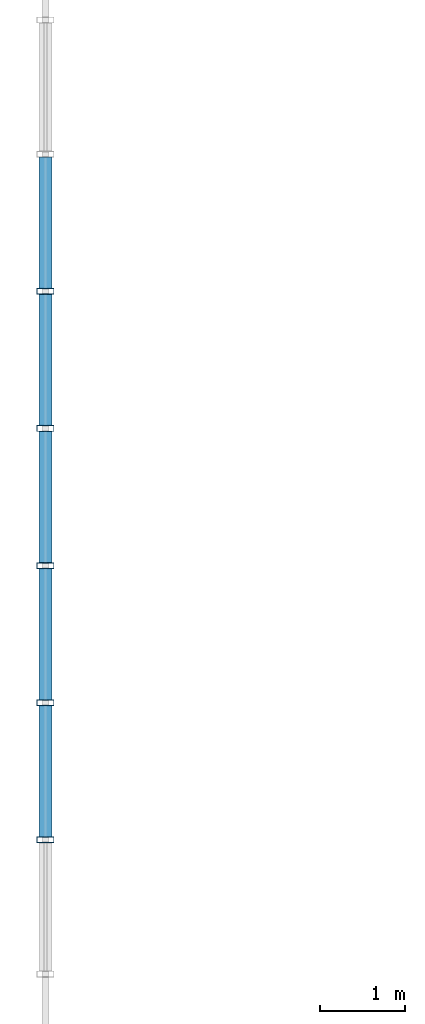
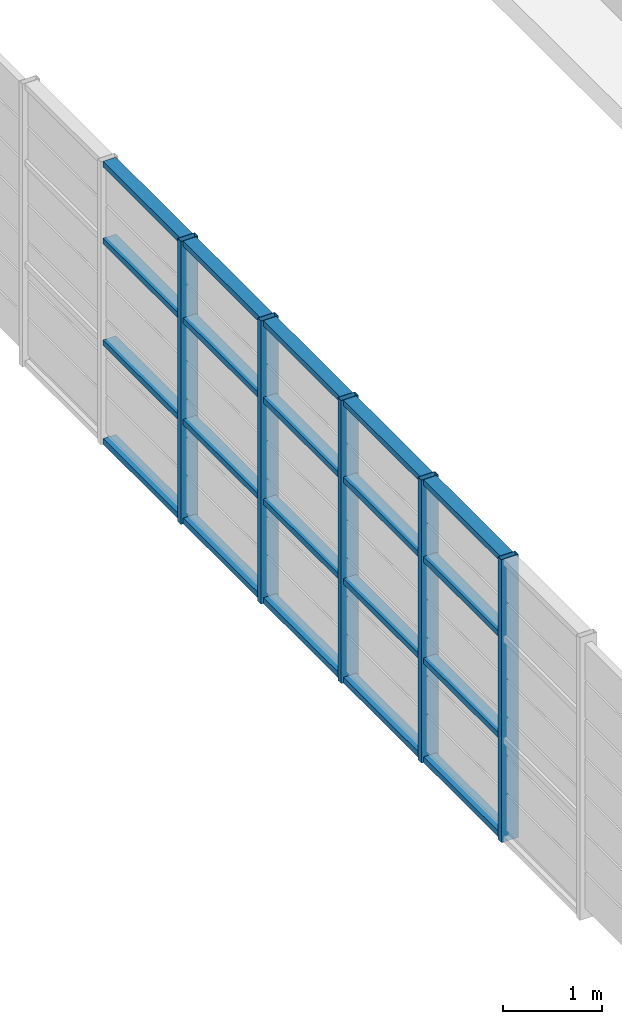
# One storey, part 7 of 21: 25 members, 1 element without a shape of its own.
"""IFC4 building model written with IfcOpenShell, lengths in metres."""

from ifc_helpers import new_model, si_unit, direction, frame, origin, origin_2d, place, context, subcontext, project, spatial, hollow_rectangle, extrude, source, transform, mapped, material, layer, layer_set, material_profile, profile_set, type_object, element, aggregate, save


model = new_model("IFC4")

# Units and contexts
model_context = context("Model", 3, precision=1e-05, world=origin(), true_north=direction((0.0, 1.0)))
body_context = subcontext(model_context, "Body", "Model", "MODEL_VIEW")
ifc_project = project(units=[si_unit("LENGTHUNIT", "METRE"), si_unit("AREAUNIT", "SQUARE_METRE"), si_unit("VOLUMEUNIT", "CUBIC_METRE"), si_unit("PLANEANGLEUNIT", "RADIAN"), si_unit("MASSUNIT", "GRAM", prefix="KILO")], contexts=[model_context])

# Site, building, storey
site_placement = place(None, origin())
site = spatial("IfcSite", under=ifc_project, at=site_placement, CompositionType="ELEMENT")
building_placement = place(site_placement, origin())
building = spatial("IfcBuilding", under=site, at=building_placement, Name="Saelheon Loggia Tower", CompositionType="ELEMENT")
storey_placement = place(building_placement, frame((0.0, 0.0, 267.39990234375)))
storey = spatial("IfcBuildingStorey", under=building, at=storey_placement, Name="CR5", CompositionType="ELEMENT", Elevation=267.39990234375)

# Curtain wall, members
ifc_material_1 = material(Name="Bronze-Anodised Aluminium and Fritted Ceramic Screen", Category="aluminium")
ifc_layer = layer(ifc_material_1, 0.219970703125)
ifc_layer_set = layer_set([ifc_layer], Name="Bronze-Anodised Aluminium and Fritted Ceramic Screen")
curtain_wall_type = type_object("IfcCurtainWallType", Name="CW_CrownScreen", PredefinedType="NOTDEFINED", material=ifc_layer_set)
curtain_wall_placement = place(storey_placement, origin())
curtain_wall = element("IfcCurtainWall", 1, at=curtain_wall_placement, inside=storey, type_object=curtain_wall_type, Name="CR5 Crown Central Screen Curtain Wall 9", PredefinedType="NOTDEFINED")
ifc_material_2 = material(Name="Bronze-Anodised Aluminium 6063-T6", Category="aluminium")
ifc_material_profile_1 = material_profile(ifc_material_2, hollow_rectangle(XDim=0.070068359375, YDim=0.199951171875, WallThickness=0.0048828125, at=origin_2d()), Name="RHS-200x70x5")
ifc_profile_set_1 = profile_set([ifc_material_profile_1], Name="Bronze-Anodised Aluminium 6063-T6")
member_type_1 = type_object("IfcMemberType", Name="CW_CrownScreen_Mullion", PredefinedType="MULLION", material=ifc_profile_set_1)
shared_shape_1 = source(origin(), body_context, "Body", "SweptSolid", [
    extrude(hollow_rectangle(XDim=0.070068359375, YDim=0.199951171875, WallThickness=0.0048828125, at=origin_2d()), origin(), (0.0, 0.0, 1.0), 3.47998046875),
])
member_1_placement = place(storey_placement, frame((23.35009765625, 22.96435546875, 0.0), z_axis=(0.0, 0.0, 1.0), x_axis=(0.0, 1.0, 0.0)))
member_1 = element("IfcMember", 2, at=member_1_placement, type_object=member_type_1, Name="CW6 mullion 2", PredefinedType="MULLION", context=body_context, shape_type="MappedRepresentation", body=[
    mapped(shared_shape_1, transform((0.0, 0.0, 0.0), scale=1.0)),
])
member_2_placement = place(storey_placement, frame((23.35009765625, 24.57861328125, 0.0), z_axis=(0.0, 0.0, 1.0), x_axis=(0.0, 1.0, 0.0)))
member_2 = element("IfcMember", 3, at=member_2_placement, type_object=member_type_1, Name="CW6 mullion 3", PredefinedType="MULLION", context=body_context, shape_type="MappedRepresentation", body=[
    mapped(shared_shape_1, transform((0.0, 0.0, 0.0), scale=1.0)),
])
member_3_placement = place(storey_placement, frame((23.35009765625, 26.19287109375, 0.0), z_axis=(0.0, 0.0, 1.0), x_axis=(0.0, 1.0, 0.0)))
member_3 = element("IfcMember", 4, at=member_3_placement, type_object=member_type_1, Name="CW6 mullion 4", PredefinedType="MULLION", context=body_context, shape_type="MappedRepresentation", body=[
    mapped(shared_shape_1, transform((0.0, 0.0, 0.0), scale=1.0)),
])
member_4_placement = place(storey_placement, frame((23.35009765625, 27.80712890625, 0.0), z_axis=(0.0, 0.0, 1.0), x_axis=(0.0, 1.0, 0.0)))
member_4 = element("IfcMember", 5, at=member_4_placement, type_object=member_type_1, Name="CW6 mullion 5", PredefinedType="MULLION", context=body_context, shape_type="MappedRepresentation", body=[
    mapped(shared_shape_1, transform((0.0, 0.0, 0.0), scale=1.0)),
])
member_5_placement = place(storey_placement, frame((23.35009765625, 29.42138671875, 0.0), z_axis=(0.0, 0.0, 1.0), x_axis=(0.0, 1.0, 0.0)))
member_5 = element("IfcMember", 6, at=member_5_placement, type_object=member_type_1, Name="CW6 mullion 6", PredefinedType="MULLION", context=body_context, shape_type="MappedRepresentation", body=[
    mapped(shared_shape_1, transform((0.0, 0.0, 0.0), scale=1.0)),
])
ifc_material_profile_2 = material_profile(ifc_material_2, hollow_rectangle(XDim=0.070068359375, YDim=0.14990234375, WallThickness=0.0048828125, at=origin_2d()), Name="RHS-150x70x5")
ifc_profile_set_2 = profile_set([ifc_material_profile_2], Name="Bronze-Anodised Aluminium 6063-T6")
member_type_2 = type_object("IfcMemberType", Name="CW_CrownScreen_Transom", PredefinedType="USERDEFINED", material=ifc_profile_set_2)
shared_shape_2 = source(origin(), body_context, "Body", "SweptSolid", [
    extrude(hollow_rectangle(XDim=0.070068359375, YDim=0.14990234375, WallThickness=0.0048828125, at=origin_2d()), origin(), (0.0, 0.0, 1.0), 1.544189453125),
])
member_6_placement = place(storey_placement, frame((23.35009765625, 22.999267578125, 0.03515625), z_axis=(0.0, 1.0, 0.0), x_axis=(0.0, 0.0, 1.0)))
member_6 = element("IfcMember", 7, at=member_6_placement, type_object=member_type_2, Name="CW6 transom 2.1", ObjectType="TRANSOM", PredefinedType="USERDEFINED", context=body_context, shape_type="MappedRepresentation", body=[
    mapped(shared_shape_2, transform((0.0, 0.0, 0.0), scale=1.0)),
])
member_7_placement = place(storey_placement, frame((23.35009765625, 22.999267578125, 1.25), z_axis=(0.0, 1.0, 0.0), x_axis=(0.0, 0.0, 1.0)))
member_7 = element("IfcMember", 8, at=member_7_placement, type_object=member_type_2, Name="CW6 transom 2.2", ObjectType="TRANSOM", PredefinedType="USERDEFINED", context=body_context, shape_type="MappedRepresentation", body=[
    mapped(shared_shape_2, transform((0.0, 0.0, 0.0), scale=1.0)),
])
member_8_placement = place(storey_placement, frame((23.35009765625, 22.999267578125, 2.5), z_axis=(0.0, 1.0, 0.0), x_axis=(0.0, 0.0, 1.0)))
member_8 = element("IfcMember", 9, at=member_8_placement, type_object=member_type_2, Name="CW6 transom 2.3", ObjectType="TRANSOM", PredefinedType="USERDEFINED", context=body_context, shape_type="MappedRepresentation", body=[
    mapped(shared_shape_2, transform((0.0, 0.0, 0.0), scale=1.0)),
])
member_9_placement = place(storey_placement, frame((23.35009765625, 22.999267578125, 3.445068359375), z_axis=(0.0, 1.0, 0.0), x_axis=(0.0, 0.0, 1.0)))
member_9 = element("IfcMember", 10, at=member_9_placement, type_object=member_type_2, Name="CW6 transom 2.4", ObjectType="TRANSOM", PredefinedType="USERDEFINED", context=body_context, shape_type="MappedRepresentation", body=[
    mapped(shared_shape_2, transform((0.0, 0.0, 0.0), scale=1.0)),
])
member_10_placement = place(storey_placement, frame((23.35009765625, 29.45654296875, 0.03515625), z_axis=(0.0, 1.0, 0.0), x_axis=(0.0, 0.0, 1.0)))
member_10 = element("IfcMember", 11, at=member_10_placement, type_object=member_type_2, Name="CW6 transom 6.1", ObjectType="TRANSOM", PredefinedType="USERDEFINED", context=body_context, shape_type="MappedRepresentation", body=[
    mapped(shared_shape_2, transform((0.0, 0.0, 0.0), scale=1.0)),
])
member_11_placement = place(storey_placement, frame((23.35009765625, 29.45654296875, 1.25), z_axis=(0.0, 1.0, 0.0), x_axis=(0.0, 0.0, 1.0)))
member_11 = element("IfcMember", 12, at=member_11_placement, type_object=member_type_2, Name="CW6 transom 6.2", ObjectType="TRANSOM", PredefinedType="USERDEFINED", context=body_context, shape_type="MappedRepresentation", body=[
    mapped(shared_shape_2, transform((0.0, 0.0, 0.0), scale=1.0)),
])
member_12_placement = place(storey_placement, frame((23.35009765625, 29.45654296875, 2.5), z_axis=(0.0, 1.0, 0.0), x_axis=(0.0, 0.0, 1.0)))
member_12 = element("IfcMember", 13, at=member_12_placement, type_object=member_type_2, Name="CW6 transom 6.3", ObjectType="TRANSOM", PredefinedType="USERDEFINED", context=body_context, shape_type="MappedRepresentation", body=[
    mapped(shared_shape_2, transform((0.0, 0.0, 0.0), scale=1.0)),
])
member_13_placement = place(storey_placement, frame((23.35009765625, 29.45654296875, 3.445068359375), z_axis=(0.0, 1.0, 0.0), x_axis=(0.0, 0.0, 1.0)))
member_13 = element("IfcMember", 14, at=member_13_placement, type_object=member_type_2, Name="CW6 transom 6.4", ObjectType="TRANSOM", PredefinedType="USERDEFINED", context=body_context, shape_type="MappedRepresentation", body=[
    mapped(shared_shape_2, transform((0.0, 0.0, 0.0), scale=1.0)),
])
shared_shape_3 = source(origin(), body_context, "Body", "SweptSolid", [
    extrude(hollow_rectangle(XDim=0.070068359375, YDim=0.14990234375, WallThickness=0.0048828125, at=origin_2d()), origin(), (0.0, 0.0, 1.0), 1.54443359375),
])
member_14_placement = place(storey_placement, frame((23.35009765625, 24.613525390625, 0.03515625), z_axis=(0.0, 1.0, 0.0), x_axis=(0.0, 0.0, 1.0)))
member_14 = element("IfcMember", 15, at=member_14_placement, type_object=member_type_2, Name="CW6 transom 3.1", ObjectType="TRANSOM", PredefinedType="USERDEFINED", context=body_context, shape_type="MappedRepresentation", body=[
    mapped(shared_shape_3, transform((0.0, 0.0, 0.0), scale=1.0)),
])
member_15_placement = place(storey_placement, frame((23.35009765625, 24.613525390625, 1.25), z_axis=(0.0, 1.0, 0.0), x_axis=(0.0, 0.0, 1.0)))
member_15 = element("IfcMember", 16, at=member_15_placement, type_object=member_type_2, Name="CW6 transom 3.2", ObjectType="TRANSOM", PredefinedType="USERDEFINED", context=body_context, shape_type="MappedRepresentation", body=[
    mapped(shared_shape_3, transform((0.0, 0.0, 0.0), scale=1.0)),
])
member_16_placement = place(storey_placement, frame((23.35009765625, 24.613525390625, 2.5), z_axis=(0.0, 1.0, 0.0), x_axis=(0.0, 0.0, 1.0)))
member_16 = element("IfcMember", 17, at=member_16_placement, type_object=member_type_2, Name="CW6 transom 3.3", ObjectType="TRANSOM", PredefinedType="USERDEFINED", context=body_context, shape_type="MappedRepresentation", body=[
    mapped(shared_shape_3, transform((0.0, 0.0, 0.0), scale=1.0)),
])
member_17_placement = place(storey_placement, frame((23.35009765625, 24.613525390625, 3.445068359375), z_axis=(0.0, 1.0, 0.0), x_axis=(0.0, 0.0, 1.0)))
member_17 = element("IfcMember", 18, at=member_17_placement, type_object=member_type_2, Name="CW6 transom 3.4", ObjectType="TRANSOM", PredefinedType="USERDEFINED", context=body_context, shape_type="MappedRepresentation", body=[
    mapped(shared_shape_3, transform((0.0, 0.0, 0.0), scale=1.0)),
])
member_18_placement = place(storey_placement, frame((23.35009765625, 26.227783203125, 0.03515625), z_axis=(0.0, 1.0, 0.0), x_axis=(0.0, 0.0, 1.0)))
member_18 = element("IfcMember", 19, at=member_18_placement, type_object=member_type_2, Name="CW6 transom 4.1", ObjectType="TRANSOM", PredefinedType="USERDEFINED", context=body_context, shape_type="MappedRepresentation", body=[
    mapped(shared_shape_3, transform((0.0, 0.0, 0.0), scale=1.0)),
])
member_19_placement = place(storey_placement, frame((23.35009765625, 26.227783203125, 1.25), z_axis=(0.0, 1.0, 0.0), x_axis=(0.0, 0.0, 1.0)))
member_19 = element("IfcMember", 20, at=member_19_placement, type_object=member_type_2, Name="CW6 transom 4.2", ObjectType="TRANSOM", PredefinedType="USERDEFINED", context=body_context, shape_type="MappedRepresentation", body=[
    mapped(shared_shape_3, transform((0.0, 0.0, 0.0), scale=1.0)),
])
member_20_placement = place(storey_placement, frame((23.35009765625, 26.227783203125, 2.5), z_axis=(0.0, 1.0, 0.0), x_axis=(0.0, 0.0, 1.0)))
member_20 = element("IfcMember", 21, at=member_20_placement, type_object=member_type_2, Name="CW6 transom 4.3", ObjectType="TRANSOM", PredefinedType="USERDEFINED", context=body_context, shape_type="MappedRepresentation", body=[
    mapped(shared_shape_3, transform((0.0, 0.0, 0.0), scale=1.0)),
])
member_21_placement = place(storey_placement, frame((23.35009765625, 26.227783203125, 3.445068359375), z_axis=(0.0, 1.0, 0.0), x_axis=(0.0, 0.0, 1.0)))
member_21 = element("IfcMember", 22, at=member_21_placement, type_object=member_type_2, Name="CW6 transom 4.4", ObjectType="TRANSOM", PredefinedType="USERDEFINED", context=body_context, shape_type="MappedRepresentation", body=[
    mapped(shared_shape_3, transform((0.0, 0.0, 0.0), scale=1.0)),
])
member_22_placement = place(storey_placement, frame((23.35009765625, 27.842041015625, 0.03515625), z_axis=(0.0, 1.0, 0.0), x_axis=(0.0, 0.0, 1.0)))
member_22 = element("IfcMember", 23, at=member_22_placement, type_object=member_type_2, Name="CW6 transom 5.1", ObjectType="TRANSOM", PredefinedType="USERDEFINED", context=body_context, shape_type="MappedRepresentation", body=[
    mapped(shared_shape_3, transform((0.0, 0.0, 0.0), scale=1.0)),
])
member_23_placement = place(storey_placement, frame((23.35009765625, 27.842041015625, 1.25), z_axis=(0.0, 1.0, 0.0), x_axis=(0.0, 0.0, 1.0)))
member_23 = element("IfcMember", 24, at=member_23_placement, type_object=member_type_2, Name="CW6 transom 5.2", ObjectType="TRANSOM", PredefinedType="USERDEFINED", context=body_context, shape_type="MappedRepresentation", body=[
    mapped(shared_shape_3, transform((0.0, 0.0, 0.0), scale=1.0)),
])
member_24_placement = place(storey_placement, frame((23.35009765625, 27.842041015625, 2.5), z_axis=(0.0, 1.0, 0.0), x_axis=(0.0, 0.0, 1.0)))
member_24 = element("IfcMember", 25, at=member_24_placement, type_object=member_type_2, Name="CW6 transom 5.3", ObjectType="TRANSOM", PredefinedType="USERDEFINED", context=body_context, shape_type="MappedRepresentation", body=[
    mapped(shared_shape_3, transform((0.0, 0.0, 0.0), scale=1.0)),
])
member_25_placement = place(storey_placement, frame((23.35009765625, 27.842041015625, 3.445068359375), z_axis=(0.0, 1.0, 0.0), x_axis=(0.0, 0.0, 1.0)))
member_25 = element("IfcMember", 26, at=member_25_placement, type_object=member_type_2, Name="CW6 transom 5.4", ObjectType="TRANSOM", PredefinedType="USERDEFINED", context=body_context, shape_type="MappedRepresentation", body=[
    mapped(shared_shape_3, transform((0.0, 0.0, 0.0), scale=1.0)),
])
aggregate(curtain_wall, [member_1, member_2, member_3, member_4, member_5, member_6, member_7, member_8, member_9, member_14, member_15, member_16, member_17, member_18, member_19, member_20, member_21, member_22, member_23, member_24, member_25, member_10, member_11, member_12, member_13])

save(model, "model.ifc")
